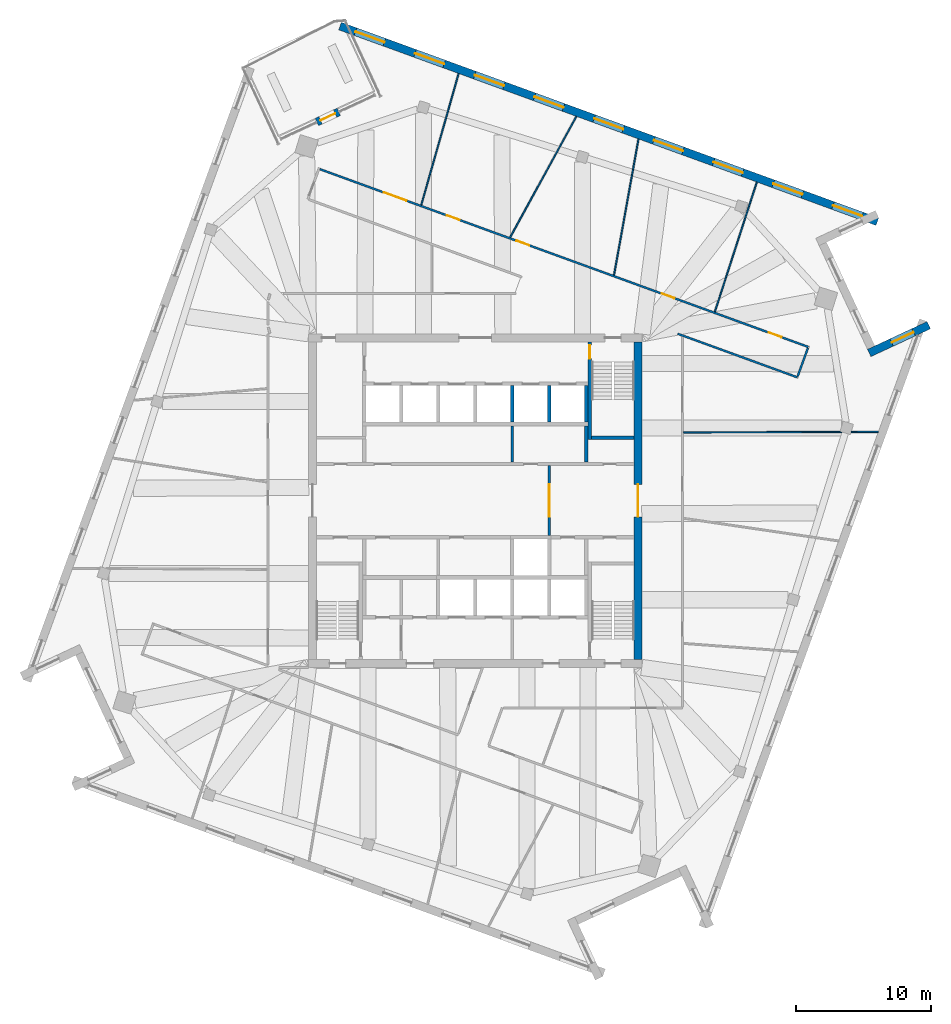
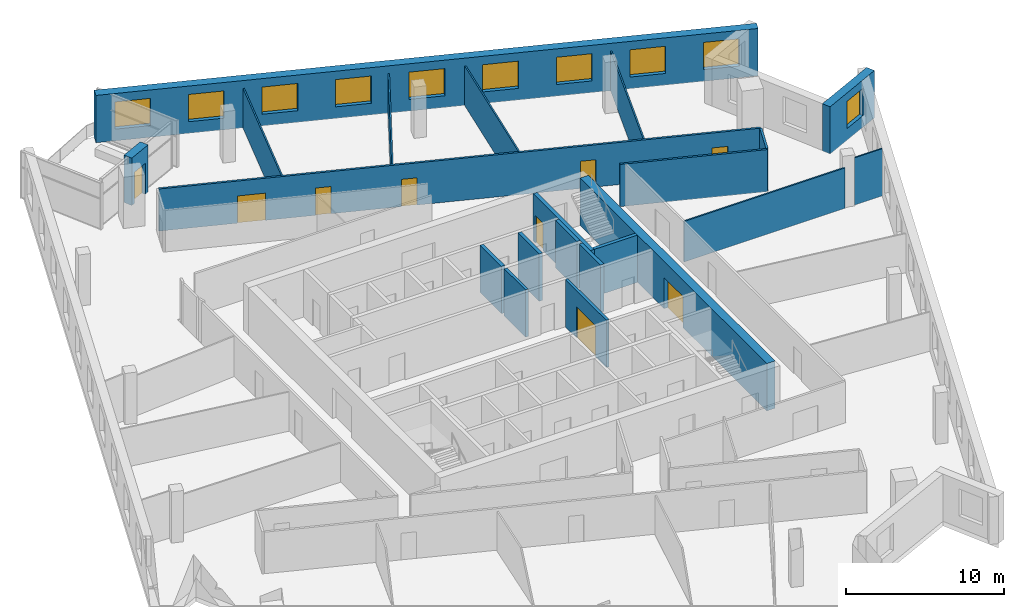
# One storey, part 10 of 13: 21 walls, 10 windows, 9 doors, 19 openings.
"""IFC4 building model written with IfcOpenShell, lengths in metres."""

from ifc_helpers import new_model, si_unit, direction, frame, frame_2d, origin, place, context, subcontext, project, spatial, rectangle, extrude, material, layer, layer_set, type_object, element, fill, save


model = new_model("IFC4")

# Units and contexts
model_context = context("Model", 3, precision=1e-05, world=origin(), true_north=direction((0.0, 1.0)))
body_context = subcontext(model_context, "Body", "Model", "MODEL_VIEW")
ifc_project = project(units=[si_unit("LENGTHUNIT", "METRE"), si_unit("AREAUNIT", "SQUARE_METRE"), si_unit("VOLUMEUNIT", "CUBIC_METRE"), si_unit("PLANEANGLEUNIT", "RADIAN"), si_unit("MASSUNIT", "GRAM", prefix="KILO")], contexts=[model_context])

# Site, building, storey
site_placement = place(None, origin())
site = spatial("IfcSite", under=ifc_project, at=site_placement, CompositionType="ELEMENT")
building_placement = place(site_placement, origin())
building = spatial("IfcBuilding", under=site, at=building_placement, Name="Dilmun Exchange Tower", CompositionType="ELEMENT")
storey_placement = place(building_placement, frame((0.0, 0.0, 308.5)))
storey = spatial("IfcBuildingStorey", under=building, at=storey_placement, Name="L73", CompositionType="ELEMENT", Elevation=308.5)

# Wall, opening, door
ifc_material_1 = material(Name="Concrete C40/50", Category="concrete")
ifc_layer_1 = layer(ifc_material_1, 0.199951171875)
ifc_layer_set_1 = layer_set([ifc_layer_1], Name="Concrete C40/50")
wall_type_1 = type_object("IfcWallType", Name="Core partition wall 200", PredefinedType="PARTITIONING", material=ifc_layer_set_1)
wall_1_placement = place(storey_placement, frame((5.5, -2.594970703125, 0.0), z_axis=(0.0, 0.0, 1.0), x_axis=(0.0, 1.0, 0.0)))
wall_1 = element("IfcWall", 1, at=wall_1_placement, inside=storey, type_object=wall_type_1, Name="L73 core partition wall 12", PredefinedType="PARTITIONING", context=body_context, shape_type="SweptSolid", body=[
    extrude(rectangle(XDim=5.18994140625, YDim=0.199951171875, at=frame_2d((2.594970703125, 0.0))), origin(), (0.0, 0.0, 1.0), 3.64990234375),
])
opening_1_placement = place(wall_1_placement, frame((1.39501953125, 0.0, 0.0)))
opening_1 = element("IfcOpeningElement", 2, at=opening_1_placement, cuts=wall_1, Name="Opening CD1", PredefinedType="OPENING", context=body_context, shape_type="SweptSolid", body=[
    extrude(rectangle(XDim=2.39990234375, YDim=2.39990234375, at=frame_2d((1.199951171875, 1.199951171875))), frame((0.0, 0.10986328125, 0.0), z_axis=(0.0, -1.0, 0.0), x_axis=(1.0, 0.0, 0.0)), (0.0, 0.0, 1.0), 0.219970703125),
])
ifc_material_2 = material(Name="Fire-rated steel door set", Category="steel")
door_type_1 = type_object("IfcDoorType", Name="Core lobby door 2400x2400", OperationType="DOUBLE_DOOR_DOUBLE_SWING", PredefinedType="DOOR", material=ifc_material_2)
door_1_placement = place(opening_1_placement, origin())
door_1 = element("IfcDoor", 3, at=door_1_placement, inside=storey, type_object=door_type_1, Name="L73 door Lift lobby east", OperationType="DOUBLE_DOOR_DOUBLE_SWING", OverallHeight=2.39990234375, OverallWidth=2.39990234375, PredefinedType="DOOR", context=body_context, shape_type="SweptSolid", body=[
    extrude(rectangle(XDim=2.39990234375, YDim=2.39990234375, at=frame_2d((1.199951171875, 1.199951171875))), frame((0.0, 0.02490234375, 0.0), z_axis=(0.0, -1.0, 0.0), x_axis=(1.0, 0.0, 0.0)), (0.0, 0.0, 1.0), 0.050048828125),
])
fill(opening_1, door_1)

# Walls
wall_2_placement = place(storey_placement, frame((2.75, 2.85498046875, 0.0), z_axis=(0.0, 0.0, 1.0), x_axis=(0.0, 1.0, 0.0)))
element("IfcWall", 4, at=wall_2_placement, inside=storey, type_object=wall_type_1, Name="L73 core partition wall 15", PredefinedType="PARTITIONING", context=body_context, shape_type="SweptSolid", body=[
    extrude(rectangle(XDim=2.68994140625, YDim=0.199951171875, at=frame_2d((1.344970703125, 0.0))), origin(), (0.0, 0.0, 1.0), 3.64990234375),
])
ifc_layer_2 = layer(ifc_material_1, 0.25)
ifc_layer_set_2 = layer_set([ifc_layer_2], Name="Concrete C40/50")
wall_type_2 = type_object("IfcWallType", Name="Core partition wall 250", PredefinedType="PARTITIONING", material=ifc_layer_set_2)
wall_3_placement = place(storey_placement, frame((8.25, 2.85498046875, 0.0), z_axis=(0.0, 0.0, 1.0), x_axis=(0.0, 1.0, 0.0)))
element("IfcWall", 5, at=wall_3_placement, inside=storey, type_object=wall_type_2, Name="L73 core partition wall 16", PredefinedType="PARTITIONING", context=body_context, shape_type="SweptSolid", body=[
    extrude(rectangle(XDim=2.68994140625, YDim=0.25, at=frame_2d((1.344970703125, 0.0))), origin(), (0.0, 0.0, 1.0), 3.64990234375),
])

# Wall, opening, door
ifc_material_3 = material(Name="Concrete C50/60", Category="concrete")
ifc_layer_3 = layer(ifc_material_3, 0.60009765625)
ifc_layer_set_3 = layer_set([ifc_layer_3], Name="Concrete C50/60")
wall_type_3 = type_object("IfcWallType", Name="Core shear wall 600 Concrete C50/60", PredefinedType="SHEAR", material=ifc_layer_set_3)
wall_4_placement = place(storey_placement, frame((12.10009765625, -11.800048828125, 0.0), z_axis=(0.0, 0.0, 1.0), x_axis=(0.0, 1.0, 0.0)))
wall_4 = element("IfcWall", 6, at=wall_4_placement, inside=storey, type_object=wall_type_3, Name="L73 core shear wall E", PredefinedType="SHEAR", context=body_context, shape_type="SweptSolid", body=[
    extrude(rectangle(XDim=23.60009765625, YDim=0.60009765625, at=frame_2d((11.800048828125, 0.0))), origin(), (0.0, 0.0, 1.0), 3.64990234375),
])
opening_2_placement = place(wall_4_placement, frame((10.60009765625, 0.0, 0.0)))
opening_2 = element("IfcOpeningElement", 7, at=opening_2_placement, cuts=wall_4, Name="Opening CD1", PredefinedType="OPENING", context=body_context, shape_type="SweptSolid", body=[
    extrude(rectangle(XDim=2.39990234375, YDim=2.39990234375, at=frame_2d((1.199951171875, 1.199951171875))), frame((0.0, 0.31005859375, 0.0), z_axis=(0.0, -1.0, 0.0), x_axis=(1.0, 0.0, 0.0)), (0.0, 0.0, 1.0), 0.6201171875),
])
door_2_placement = place(opening_2_placement, origin())
door_2 = element("IfcDoor", 8, at=door_2_placement, inside=storey, type_object=door_type_1, Name="L73 door Central lift lobby", OperationType="SINGLE_SWING_LEFT", OverallHeight=2.39990234375, OverallWidth=2.39990234375, PredefinedType="DOOR", context=body_context, shape_type="SweptSolid", body=[
    extrude(rectangle(XDim=2.39990234375, YDim=2.39990234375, at=frame_2d((1.199951171875, 1.199951171875))), frame((0.0, 0.02490234375, 0.0), z_axis=(0.0, -1.0, 0.0), x_axis=(1.0, 0.0, 0.0)), (0.0, 0.0, 1.0), 0.050048828125),
])
fill(opening_2, door_2)

# Wall, openings, doors
ifc_material_4 = material(Name="Corridor wall 150")
ifc_layer_4 = layer(ifc_material_4, 0.14990234375)
ifc_layer_set_4 = layer_set([ifc_layer_4], Name="Corridor wall 150")
wall_type_4 = type_object("IfcWallType", Name="Corridor wall 150", PredefinedType="PARTITIONING", material=ifc_layer_set_4)
wall_5_placement = place(storey_placement, frame((-11.548583984375, 24.63134765625, 0.0), z_axis=(0.0, 0.0, 1.0), x_axis=(0.939685979246, -0.342038390256, 0.0)))
wall_5 = element("IfcWall", 9, at=wall_5_placement, inside=storey, type_object=wall_type_4, Name="Corridor wall", PredefinedType="PARTITIONING", context=body_context, shape_type="SweptSolid", body=[
    extrude(rectangle(XDim=38.62841796875, YDim=0.14990234375, at=frame_2d((19.314208984375, 0.0))), origin(), (0.0, 0.0, 1.0), 3.25),
])
opening_3_placement = place(wall_5_placement, frame((5.050048828125, 0.0, 0.0)))
opening_3 = element("IfcOpeningElement", 10, at=opening_3_placement, cuts=wall_5, Name="Opening TF72-D06", PredefinedType="OPENING", context=body_context, shape_type="SweptSolid", body=[
    extrude(rectangle(XDim=1.800048828125, YDim=2.10009765625, at=frame_2d((0.89990234375, 1.050048828125))), frame((0.0, 0.0849609375, 0.0), z_axis=(0.0, -1.0, 0.0), x_axis=(1.0, 0.0, 0.0)), (0.0, 0.0, 1.0), 0.169921875),
])
opening_4_placement = place(wall_5_placement, frame((10.0458984375, 0.0, 0.0)))
opening_4 = element("IfcOpeningElement", 11, at=opening_4_placement, cuts=wall_5, Name="Opening TF72-D12", PredefinedType="OPENING", context=body_context, shape_type="SweptSolid", body=[
    extrude(rectangle(XDim=1.0, YDim=2.10009765625, at=frame_2d((0.5, 1.050048828125))), frame((0.0, 0.0849609375, 0.0), z_axis=(0.0, -1.0, 0.0), x_axis=(1.0, 0.0, 0.0)), (0.0, 0.0, 1.0), 0.169921875),
])
opening_5_placement = place(wall_5_placement, frame((15.560791015625, 0.0, 0.0)))
opening_5 = element("IfcOpeningElement", 12, at=opening_5_placement, cuts=wall_5, Name="Opening TF72-D14", PredefinedType="OPENING", context=body_context, shape_type="SweptSolid", body=[
    extrude(rectangle(XDim=1.0, YDim=2.10009765625, at=frame_2d((0.5, 1.050048828125))), frame((0.0, 0.0849609375, 0.0), z_axis=(0.0, -1.0, 0.0), x_axis=(1.0, 0.0, 0.0)), (0.0, 0.0, 1.0), 0.169921875),
])
opening_6_placement = place(wall_5_placement, frame((27.0419921875, 0.0, 0.0)))
opening_6 = element("IfcOpeningElement", 13, at=opening_6_placement, cuts=wall_5, Name="Opening TF72-D17", PredefinedType="OPENING", context=body_context, shape_type="SweptSolid", body=[
    extrude(rectangle(XDim=1.0, YDim=2.10009765625, at=frame_2d((0.5, 1.050048828125))), frame((0.0, 0.0849609375, 0.0), z_axis=(0.0, -1.0, 0.0), x_axis=(1.0, 0.0, 0.0)), (0.0, 0.0, 1.0), 0.169921875),
])
opening_7_placement = place(wall_5_placement, frame((35.506103515625, 0.0, 0.0)))
opening_7 = element("IfcOpeningElement", 14, at=opening_7_placement, cuts=wall_5, Name="Opening TF72-D21", PredefinedType="OPENING", context=body_context, shape_type="SweptSolid", body=[
    extrude(rectangle(XDim=1.0, YDim=2.10009765625, at=frame_2d((0.5, 1.050048828125))), frame((0.0, 0.0849609375, 0.0), z_axis=(0.0, -1.0, 0.0), x_axis=(1.0, 0.0, 0.0)), (0.0, 0.0, 1.0), 0.169921875),
])
ifc_material_5 = material(Name="Fire door 1000 x 2100")
door_type_2 = type_object("IfcDoorType", Name="Fire door 1000 x 2100", OperationType="NOTDEFINED", PredefinedType="DOOR", material=ifc_material_5)
door_3_placement = place(opening_4_placement, origin())
door_3 = element("IfcDoor", 15, at=door_3_placement, inside=storey, type_object=door_type_2, Name="Door TF72-D12", OperationType="SINGLE_SWING_LEFT", OverallHeight=2.10009765625, OverallWidth=1.0, PredefinedType="DOOR", context=body_context, shape_type="SweptSolid", body=[
    extrude(rectangle(XDim=1.0, YDim=2.10009765625, at=frame_2d((0.5, 1.050048828125))), frame((0.0, 0.02490234375, 0.0), z_axis=(0.0, -1.0, 0.0), x_axis=(1.0, 0.0, 0.0)), (0.0, 0.0, 1.0), 0.050048828125),
])
fill(opening_4, door_3)
door_4_placement = place(opening_5_placement, origin())
door_4 = element("IfcDoor", 16, at=door_4_placement, inside=storey, type_object=door_type_2, Name="Door TF72-D14", OperationType="SINGLE_SWING_RIGHT", OverallHeight=2.10009765625, OverallWidth=1.0, PredefinedType="DOOR", context=body_context, shape_type="SweptSolid", body=[
    extrude(rectangle(XDim=1.0, YDim=2.10009765625, at=frame_2d((0.5, 1.050048828125))), frame((0.0, 0.02490234375, 0.0), z_axis=(0.0, -1.0, 0.0), x_axis=(1.0, 0.0, 0.0)), (0.0, 0.0, 1.0), 0.050048828125),
])
fill(opening_5, door_4)
door_5_placement = place(opening_6_placement, origin())
door_5 = element("IfcDoor", 17, at=door_5_placement, inside=storey, type_object=door_type_2, Name="Door TF72-D17", OperationType="SINGLE_SWING_RIGHT", OverallHeight=2.10009765625, OverallWidth=1.0, PredefinedType="DOOR", context=body_context, shape_type="SweptSolid", body=[
    extrude(rectangle(XDim=1.0, YDim=2.10009765625, at=frame_2d((0.5, 1.050048828125))), frame((0.0, 0.02490234375, 0.0), z_axis=(0.0, -1.0, 0.0), x_axis=(1.0, 0.0, 0.0)), (0.0, 0.0, 1.0), 0.050048828125),
])
fill(opening_6, door_5)
door_6_placement = place(opening_7_placement, origin())
door_6 = element("IfcDoor", 18, at=door_6_placement, inside=storey, type_object=door_type_2, Name="Door TF72-D21", OperationType="SINGLE_SWING_LEFT", OverallHeight=2.10009765625, OverallWidth=1.0, PredefinedType="DOOR", context=body_context, shape_type="SweptSolid", body=[
    extrude(rectangle(XDim=1.0, YDim=2.10009765625, at=frame_2d((0.5, 1.050048828125))), frame((0.0, 0.02490234375, 0.0), z_axis=(0.0, -1.0, 0.0), x_axis=(1.0, 0.0, 0.0)), (0.0, 0.0, 1.0), 0.050048828125),
])
fill(opening_7, door_6)
ifc_material_6 = material(Name="Fire door pair 1800 x 2100")
door_type_3 = type_object("IfcDoorType", Name="Fire door pair 1800 x 2100", OperationType="NOTDEFINED", PredefinedType="DOOR", material=ifc_material_6)
door_7_placement = place(opening_3_placement, origin())
door_7 = element("IfcDoor", 19, at=door_7_placement, inside=storey, type_object=door_type_3, Name="Door TF72-D06", OperationType="DOUBLE_DOOR_SINGLE_SWING", OverallHeight=2.10009765625, OverallWidth=1.800048828125, PredefinedType="DOOR", context=body_context, shape_type="SweptSolid", body=[
    extrude(rectangle(XDim=1.800048828125, YDim=2.10009765625, at=frame_2d((0.89990234375, 1.050048828125))), frame((0.0, 0.02490234375, 0.0), z_axis=(0.0, -1.0, 0.0), x_axis=(1.0, 0.0, 0.0)), (0.0, 0.0, 1.0), 0.050048828125),
])
fill(opening_3, door_7)

# Walls
wall_6_placement = place(storey_placement, frame((15.0400390625, 12.39990234375, 0.0), z_axis=(0.0, 0.0, 1.0), x_axis=(0.939674306664, -0.34207045677, 0.0)))
element("IfcWall", 20, at=wall_6_placement, inside=storey, type_object=wall_type_4, Name="Corridor wall", PredefinedType="PARTITIONING", context=body_context, shape_type="SweptSolid", body=[
    extrude(rectangle(XDim=9.45947265625, YDim=0.14990234375, at=frame_2d((4.729736328125, 0.0))), origin(), (0.0, 0.0, 1.0), 3.25),
])
wall_7_placement = place(storey_placement, frame((23.95458984375, 9.234619140625, 0.0), z_axis=(0.0, 0.0, 1.0), x_axis=(0.342187433401, 0.939631715313, 0.0)))
element("IfcWall", 21, at=wall_7_placement, inside=storey, type_object=wall_type_4, Name="Corridor wall", PredefinedType="PARTITIONING", context=body_context, shape_type="SweptSolid", body=[
    extrude(rectangle(XDim=2.24951171875, YDim=0.14990234375, at=frame_2d((1.124755859375, 0.0))), origin(), (0.0, 0.0, 1.0), 3.25),
])
ifc_layer_5 = layer(ifc_material_1, 0.25)
ifc_layer_set_5 = layer_set([ifc_layer_5], Name="Concrete C40/50")
wall_type_5 = type_object("IfcWallType", Name="Lift shaft wall 250", PredefinedType="SOLIDWALL", material=ifc_layer_set_5)
for number, where, z_axis, x_axis, name in (
    (22, (2.75, 5.85009765625, 0.0), (0.0, 0.0, 1.0), (0.0, 1.0, 0.0), "L73 lift shaft divider N24"),
    (23, (5.5, 5.85009765625, 0.0), (0.0, 0.0, 1.0), (0.0, 1.0, 0.0), "L73 lift shaft divider N25"),
    (24, (8.25, 5.85009765625, 0.0), (0.0, 0.0, 1.0), (0.0, 1.0, 0.0), "L73 lift shaft divider N26"),
):
    element("IfcWall", number, at=place(storey_placement, frame(where, z_axis=z_axis, x_axis=x_axis)), inside=storey, type_object=wall_type_5, Name=name, PredefinedType="SOLIDWALL", context=body_context, shape_type="SweptSolid", body=[
        extrude(rectangle(XDim=2.699951171875, YDim=0.25, at=frame_2d((1.35009765625, 0.0))), origin(), (0.0, 0.0, 1.0), 3.64990234375),
    ])
ifc_material_7 = material(Name="Partition 100")
ifc_layer_6 = layer(ifc_material_7, 0.10009765625)
ifc_layer_set_6 = layer_set([ifc_layer_6], Name="Partition 100")
wall_type_6 = type_object("IfcWallType", Name="Partition 100", PredefinedType="PARTITIONING", material=ifc_layer_set_6)
wall_8_placement = place(storey_placement, frame((-4.010498046875, 21.970703125, 0.0), z_axis=(0.0, 0.0, 1.0), x_axis=(0.273351697038, 0.96191415923, 0.0)))
element("IfcWall", 25, at=wall_8_placement, inside=storey, type_object=wall_type_6, Name="Partition", PredefinedType="PARTITIONING", context=body_context, shape_type="SweptSolid", body=[
    extrude(rectangle(XDim=10.150390625, YDim=0.10009765625, at=frame_2d((5.0751953125, 0.0))), origin(), (0.0, 0.0, 1.0), 3.050048828125),
])
wall_9_placement = place(storey_placement, frame((2.59716796875, 19.5703125, 0.0), z_axis=(0.0, 0.0, 1.0), x_axis=(0.480064743051, 0.877233060526, 0.0)))
element("IfcWall", 26, at=wall_9_placement, inside=storey, type_object=wall_type_6, Name="Partition", PredefinedType="PARTITIONING", context=body_context, shape_type="SweptSolid", body=[
    extrude(rectangle(XDim=10.2373046875, YDim=0.10009765625, at=frame_2d((5.11865234375, 0.0))), origin(), (0.0, 0.0, 1.0), 3.050048828125),
])
wall_10_placement = place(storey_placement, frame((10.31298828125, 16.762451171875, 0.0), z_axis=(0.0, 0.0, 1.0), x_axis=(0.176922718916, 0.984224746454, 0.0)))
element("IfcWall", 27, at=wall_10_placement, inside=storey, type_object=wall_type_6, Name="Partition", PredefinedType="PARTITIONING", context=body_context, shape_type="SweptSolid", body=[
    extrude(rectangle(XDim=10.26953125, YDim=0.10009765625, at=frame_2d((5.134765625, 0.0))), origin(), (0.0, 0.0, 1.0), 3.050048828125),
])
wall_11_placement = place(storey_placement, frame((15.47509765625, 5.069091796875, 0.0), z_axis=(0.0, 0.0, 1.0), x_axis=(0.999996133827, 0.00278070684, 0.0)))
element("IfcWall", 28, at=wall_11_placement, inside=storey, type_object=wall_type_6, Name="Partition", PredefinedType="PARTITIONING", context=body_context, shape_type="SweptSolid", body=[
    extrude(rectangle(XDim=11.764892578125, YDim=0.10009765625, at=frame_2d((5.88232421875, 0.0))), origin(), (0.0, 0.0, 1.0), 3.1298828125),
])
wall_12_placement = place(storey_placement, frame((17.80078125, 14.030029296875, 0.0), z_axis=(0.0, 0.0, 1.0), x_axis=(0.308373882016, 0.951265235826, 0.0)))
element("IfcWall", 29, at=wall_12_placement, inside=storey, type_object=wall_type_6, Name="Partition", PredefinedType="PARTITIONING", context=body_context, shape_type="SweptSolid", body=[
    extrude(rectangle(XDim=10.13232421875, YDim=0.10009765625, at=frame_2d((5.066162109375, 0.0))), origin(), (0.0, 0.0, 1.0), 3.050048828125),
])
wall_13_placement = place(storey_placement, frame((27.932861328125, 5.103515625, 0.0), z_axis=(0.0, 0.0, 1.0), x_axis=(0.999996132662, 0.002781125883, 0.0)))
element("IfcWall", 30, at=wall_13_placement, inside=storey, type_object=wall_type_6, Name="Partition", PredefinedType="PARTITIONING", context=body_context, shape_type="SweptSolid", body=[
    extrude(rectangle(XDim=2.01904296875, YDim=0.10009765625, at=frame_2d((1.009521484375, 0.0))), origin(), (0.0, 0.0, 1.0), 3.64990234375),
])

# Wall, opening, window
ifc_material_8 = material(Name="Precast concrete C50/60", Category="concrete")
ifc_layer_7 = layer(ifc_material_8, 0.60009765625)
ifc_layer_set_7 = layer_set([ifc_layer_7], Name="Precast concrete C50/60")
wall_type_7 = type_object("IfcWallType", Name="Precast stone-clad wall 600", PredefinedType="STANDARD", material=ifc_layer_set_7)
wall_14_placement = place(storey_placement, frame((33.703369140625, 13.036376953125, 0.0), z_axis=(0.0, 0.0, 1.0), x_axis=(-0.906306938878, -0.422620080618, 0.0)))
wall_14 = element("IfcWall", 31, at=wall_14_placement, inside=storey, type_object=wall_type_7, Name="Facade wall L73-12", PredefinedType="STANDARD", context=body_context, shape_type="SweptSolid", body=[
    extrude(rectangle(XDim=4.885498046875, YDim=0.60009765625, at=frame_2d((2.44287109375, 0.0))), origin(), (0.0, 0.0, 1.0), 3.64990234375),
])
opening_8_placement = place(wall_14_placement, frame((1.242919921875, 0.0, 0.89990234375)))
opening_8 = element("IfcOpeningElement", 32, at=opening_8_placement, cuts=wall_14, Name="Opening W180-210", PredefinedType="OPENING", context=body_context, shape_type="SweptSolid", body=[
    extrude(rectangle(XDim=1.800048828125, YDim=2.10009765625, at=frame_2d((0.89990234375, 1.050048828125))), frame((0.0, 0.31005859375, 0.0), z_axis=(0.0, -1.0, 0.0), x_axis=(1.0, 0.0, 0.0)), (0.0, 0.0, 1.0), 0.6201171875),
])
ifc_material_9 = material(Name="Clear low-emissivity glass in aluminium frame", Category="aluminium")
window_type_1 = type_object("IfcWindowType", Name="Punched window 1800 x 2100", PartitioningType="DOUBLE_PANEL_VERTICAL", PredefinedType="WINDOW", material=ifc_material_9)
window_1_placement = place(opening_8_placement, origin())
window_1 = element("IfcWindow", 33, at=window_1_placement, inside=storey, type_object=window_type_1, Name="Window 13.1", OverallHeight=2.10009765625, OverallWidth=1.800048828125, PartitioningType="SINGLE_PANEL", PredefinedType="WINDOW", context=body_context, shape_type="SweptSolid", body=[
    extrude(rectangle(XDim=1.800048828125, YDim=2.10009765625, at=frame_2d((0.89990234375, 1.050048828125))), frame((0.0, 0.030029296875, 0.0), z_axis=(0.0, -1.0, 0.0), x_axis=(1.0, 0.0, 0.0)), (0.0, 0.0, 1.0), 0.06005859375),
])
fill(opening_8, window_1)

# Wall, openings, windows
wall_15_placement = place(storey_placement, frame((29.8818359375, 20.72998046875, 0.0), z_axis=(0.0, 0.0, 1.0), x_axis=(-0.939693396491, 0.342018012087, 0.0)))
wall_15 = element("IfcWall", 34, at=wall_15_placement, inside=storey, type_object=wall_type_7, Name="Facade wall L73-15", PredefinedType="STANDARD", context=body_context, shape_type="SweptSolid", body=[
    extrude(rectangle(XDim=42.48974609375, YDim=0.60009765625, at=frame_2d((21.244873046875, 0.0))), origin(), (0.0, 0.0, 1.0), 3.64990234375),
])
opening_9_placement = place(wall_15_placement, frame((1.21044921875, 0.0, 0.89990234375)))
opening_9 = element("IfcOpeningElement", 35, at=opening_9_placement, cuts=wall_15, Name="Opening W230-210", PredefinedType="OPENING", context=body_context, shape_type="SweptSolid", body=[
    extrude(rectangle(XDim=2.300048828125, YDim=2.10009765625, at=frame_2d((1.14990234375, 1.050048828125))), frame((0.0, 0.31005859375, 0.0), z_axis=(0.0, -1.0, 0.0), x_axis=(1.0, 0.0, 0.0)), (0.0, 0.0, 1.0), 0.6201171875),
])
opening_10_placement = place(wall_15_placement, frame((5.931640625, 0.0, 0.89990234375)))
opening_10 = element("IfcOpeningElement", 36, at=opening_10_placement, cuts=wall_15, Name="Opening W230-210", PredefinedType="OPENING", context=body_context, shape_type="SweptSolid", body=[
    extrude(rectangle(XDim=2.300048828125, YDim=2.10009765625, at=frame_2d((1.14990234375, 1.050048828125))), frame((0.0, 0.31005859375, 0.0), z_axis=(0.0, -1.0, 0.0), x_axis=(1.0, 0.0, 0.0)), (0.0, 0.0, 1.0), 0.6201171875),
])
opening_11_placement = place(wall_15_placement, frame((10.652587890625, 0.0, 0.89990234375)))
opening_11 = element("IfcOpeningElement", 37, at=opening_11_placement, cuts=wall_15, Name="Opening W230-210", PredefinedType="OPENING", context=body_context, shape_type="SweptSolid", body=[
    extrude(rectangle(XDim=2.300048828125, YDim=2.10009765625, at=frame_2d((1.14990234375, 1.050048828125))), frame((0.0, 0.31005859375, 0.0), z_axis=(0.0, -1.0, 0.0), x_axis=(1.0, 0.0, 0.0)), (0.0, 0.0, 1.0), 0.6201171875),
])
opening_12_placement = place(wall_15_placement, frame((15.373779296875, 0.0, 0.89990234375)))
opening_12 = element("IfcOpeningElement", 38, at=opening_12_placement, cuts=wall_15, Name="Opening W230-210", PredefinedType="OPENING", context=body_context, shape_type="SweptSolid", body=[
    extrude(rectangle(XDim=2.300048828125, YDim=2.10009765625, at=frame_2d((1.14990234375, 1.050048828125))), frame((0.0, 0.31005859375, 0.0), z_axis=(0.0, -1.0, 0.0), x_axis=(1.0, 0.0, 0.0)), (0.0, 0.0, 1.0), 0.6201171875),
])
opening_13_placement = place(wall_15_placement, frame((20.0947265625, 0.0, 0.89990234375)))
opening_13 = element("IfcOpeningElement", 39, at=opening_13_placement, cuts=wall_15, Name="Opening W230-210", PredefinedType="OPENING", context=body_context, shape_type="SweptSolid", body=[
    extrude(rectangle(XDim=2.300048828125, YDim=2.10009765625, at=frame_2d((1.14990234375, 1.050048828125))), frame((0.0, 0.31005859375, 0.0), z_axis=(0.0, -1.0, 0.0), x_axis=(1.0, 0.0, 0.0)), (0.0, 0.0, 1.0), 0.6201171875),
])
opening_14_placement = place(wall_15_placement, frame((24.81591796875, 0.0, 0.89990234375)))
opening_14 = element("IfcOpeningElement", 40, at=opening_14_placement, cuts=wall_15, Name="Opening W230-210", PredefinedType="OPENING", context=body_context, shape_type="SweptSolid", body=[
    extrude(rectangle(XDim=2.300048828125, YDim=2.10009765625, at=frame_2d((1.14990234375, 1.050048828125))), frame((0.0, 0.31005859375, 0.0), z_axis=(0.0, -1.0, 0.0), x_axis=(1.0, 0.0, 0.0)), (0.0, 0.0, 1.0), 0.6201171875),
])
opening_15_placement = place(wall_15_placement, frame((29.536865234375, 0.0, 0.89990234375)))
opening_15 = element("IfcOpeningElement", 41, at=opening_15_placement, cuts=wall_15, Name="Opening W230-210", PredefinedType="OPENING", context=body_context, shape_type="SweptSolid", body=[
    extrude(rectangle(XDim=2.300048828125, YDim=2.10009765625, at=frame_2d((1.14990234375, 1.050048828125))), frame((0.0, 0.31005859375, 0.0), z_axis=(0.0, -1.0, 0.0), x_axis=(1.0, 0.0, 0.0)), (0.0, 0.0, 1.0), 0.6201171875),
])
opening_16_placement = place(wall_15_placement, frame((34.258056640625, 0.0, 0.89990234375)))
opening_16 = element("IfcOpeningElement", 42, at=opening_16_placement, cuts=wall_15, Name="Opening W230-210", PredefinedType="OPENING", context=body_context, shape_type="SweptSolid", body=[
    extrude(rectangle(XDim=2.300048828125, YDim=2.10009765625, at=frame_2d((1.14990234375, 1.050048828125))), frame((0.0, 0.31005859375, 0.0), z_axis=(0.0, -1.0, 0.0), x_axis=(1.0, 0.0, 0.0)), (0.0, 0.0, 1.0), 0.6201171875),
])
opening_17_placement = place(wall_15_placement, frame((38.97900390625, 0.0, 0.89990234375)))
opening_17 = element("IfcOpeningElement", 43, at=opening_17_placement, cuts=wall_15, Name="Opening W230-210", PredefinedType="OPENING", context=body_context, shape_type="SweptSolid", body=[
    extrude(rectangle(XDim=2.300048828125, YDim=2.10009765625, at=frame_2d((1.14990234375, 1.050048828125))), frame((0.0, 0.31005859375, 0.0), z_axis=(0.0, -1.0, 0.0), x_axis=(1.0, 0.0, 0.0)), (0.0, 0.0, 1.0), 0.6201171875),
])
window_type_2 = type_object("IfcWindowType", Name="Punched window 2300 x 2100", PartitioningType="DOUBLE_PANEL_VERTICAL", PredefinedType="WINDOW", material=ifc_material_9)
window_2_placement = place(opening_9_placement, origin())
window_2 = element("IfcWindow", 44, at=window_2_placement, inside=storey, type_object=window_type_2, Name="Window 16.1", OverallHeight=2.10009765625, OverallWidth=2.300048828125, PartitioningType="SINGLE_PANEL", PredefinedType="WINDOW", context=body_context, shape_type="SweptSolid", body=[
    extrude(rectangle(XDim=2.300048828125, YDim=2.10009765625, at=frame_2d((1.14990234375, 1.050048828125))), frame((0.0, 0.030029296875, 0.0), z_axis=(0.0, -1.0, 0.0), x_axis=(1.0, 0.0, 0.0)), (0.0, 0.0, 1.0), 0.06005859375),
])
fill(opening_9, window_2)
window_3_placement = place(opening_10_placement, origin())
window_3 = element("IfcWindow", 45, at=window_3_placement, inside=storey, type_object=window_type_2, Name="Window 16.2", OverallHeight=2.10009765625, OverallWidth=2.300048828125, PartitioningType="SINGLE_PANEL", PredefinedType="WINDOW", context=body_context, shape_type="SweptSolid", body=[
    extrude(rectangle(XDim=2.300048828125, YDim=2.10009765625, at=frame_2d((1.14990234375, 1.050048828125))), frame((0.0, 0.030029296875, 0.0), z_axis=(0.0, -1.0, 0.0), x_axis=(1.0, 0.0, 0.0)), (0.0, 0.0, 1.0), 0.06005859375),
])
fill(opening_10, window_3)
window_4_placement = place(opening_11_placement, origin())
window_4 = element("IfcWindow", 46, at=window_4_placement, inside=storey, type_object=window_type_2, Name="Window 16.3", OverallHeight=2.10009765625, OverallWidth=2.300048828125, PartitioningType="SINGLE_PANEL", PredefinedType="WINDOW", context=body_context, shape_type="SweptSolid", body=[
    extrude(rectangle(XDim=2.300048828125, YDim=2.10009765625, at=frame_2d((1.14990234375, 1.050048828125))), frame((0.0, 0.030029296875, 0.0), z_axis=(0.0, -1.0, 0.0), x_axis=(1.0, 0.0, 0.0)), (0.0, 0.0, 1.0), 0.06005859375),
])
fill(opening_11, window_4)
window_5_placement = place(opening_12_placement, origin())
window_5 = element("IfcWindow", 47, at=window_5_placement, inside=storey, type_object=window_type_2, Name="Window 16.4", OverallHeight=2.10009765625, OverallWidth=2.300048828125, PartitioningType="SINGLE_PANEL", PredefinedType="WINDOW", context=body_context, shape_type="SweptSolid", body=[
    extrude(rectangle(XDim=2.300048828125, YDim=2.10009765625, at=frame_2d((1.14990234375, 1.050048828125))), frame((0.0, 0.030029296875, 0.0), z_axis=(0.0, -1.0, 0.0), x_axis=(1.0, 0.0, 0.0)), (0.0, 0.0, 1.0), 0.06005859375),
])
fill(opening_12, window_5)
window_6_placement = place(opening_13_placement, origin())
window_6 = element("IfcWindow", 48, at=window_6_placement, inside=storey, type_object=window_type_2, Name="Window 16.5", OverallHeight=2.10009765625, OverallWidth=2.300048828125, PartitioningType="SINGLE_PANEL", PredefinedType="WINDOW", context=body_context, shape_type="SweptSolid", body=[
    extrude(rectangle(XDim=2.300048828125, YDim=2.10009765625, at=frame_2d((1.14990234375, 1.050048828125))), frame((0.0, 0.030029296875, 0.0), z_axis=(0.0, -1.0, 0.0), x_axis=(1.0, 0.0, 0.0)), (0.0, 0.0, 1.0), 0.06005859375),
])
fill(opening_13, window_6)
window_7_placement = place(opening_14_placement, origin())
window_7 = element("IfcWindow", 49, at=window_7_placement, inside=storey, type_object=window_type_2, Name="Window 16.6", OverallHeight=2.10009765625, OverallWidth=2.300048828125, PartitioningType="SINGLE_PANEL", PredefinedType="WINDOW", context=body_context, shape_type="SweptSolid", body=[
    extrude(rectangle(XDim=2.300048828125, YDim=2.10009765625, at=frame_2d((1.14990234375, 1.050048828125))), frame((0.0, 0.030029296875, 0.0), z_axis=(0.0, -1.0, 0.0), x_axis=(1.0, 0.0, 0.0)), (0.0, 0.0, 1.0), 0.06005859375),
])
fill(opening_14, window_7)
window_8_placement = place(opening_15_placement, origin())
window_8 = element("IfcWindow", 50, at=window_8_placement, inside=storey, type_object=window_type_2, Name="Window 16.7", OverallHeight=2.10009765625, OverallWidth=2.300048828125, PartitioningType="SINGLE_PANEL", PredefinedType="WINDOW", context=body_context, shape_type="SweptSolid", body=[
    extrude(rectangle(XDim=2.300048828125, YDim=2.10009765625, at=frame_2d((1.14990234375, 1.050048828125))), frame((0.0, 0.030029296875, 0.0), z_axis=(0.0, -1.0, 0.0), x_axis=(1.0, 0.0, 0.0)), (0.0, 0.0, 1.0), 0.06005859375),
])
fill(opening_15, window_8)
window_9_placement = place(opening_16_placement, origin())
window_9 = element("IfcWindow", 51, at=window_9_placement, inside=storey, type_object=window_type_2, Name="Window 16.8", OverallHeight=2.10009765625, OverallWidth=2.300048828125, PartitioningType="SINGLE_PANEL", PredefinedType="WINDOW", context=body_context, shape_type="SweptSolid", body=[
    extrude(rectangle(XDim=2.300048828125, YDim=2.10009765625, at=frame_2d((1.14990234375, 1.050048828125))), frame((0.0, 0.030029296875, 0.0), z_axis=(0.0, -1.0, 0.0), x_axis=(1.0, 0.0, 0.0)), (0.0, 0.0, 1.0), 0.06005859375),
])
fill(opening_16, window_9)
window_10_placement = place(opening_17_placement, origin())
window_10 = element("IfcWindow", 52, at=window_10_placement, inside=storey, type_object=window_type_2, Name="Window 16.9", OverallHeight=2.10009765625, OverallWidth=2.300048828125, PartitioningType="SINGLE_PANEL", PredefinedType="WINDOW", context=body_context, shape_type="SweptSolid", body=[
    extrude(rectangle(XDim=2.300048828125, YDim=2.10009765625, at=frame_2d((1.14990234375, 1.050048828125))), frame((0.0, 0.030029296875, 0.0), z_axis=(0.0, -1.0, 0.0), x_axis=(1.0, 0.0, 0.0)), (0.0, 0.0, 1.0), 0.06005859375),
])
fill(opening_17, window_10)

# Wall, opening, door
wall_16_placement = place(storey_placement, frame((-10.138671875, 28.8916015625, 0.0), z_axis=(0.0, 0.0, 1.0), x_axis=(-0.906300917592, -0.422632992999, 0.0)))
wall_16 = element("IfcWall", 53, at=wall_16_placement, inside=storey, type_object=wall_type_7, Name="Facade wall L73-01-D", PredefinedType="STANDARD", context=body_context, shape_type="SweptSolid", body=[
    extrude(rectangle(XDim=1.800048828125, YDim=0.60009765625, at=frame_2d((0.89990234375, 0.0))), origin(), (0.0, 0.0, 1.0), 3.64990234375),
])
opening_18_placement = place(wall_16_placement, frame((0.300048828125, 0.0, 0.0)))
opening_18 = element("IfcOpeningElement", 54, at=opening_18_placement, cuts=wall_16, Name="Opening GD-1", PredefinedType="OPENING", context=body_context, shape_type="SweptSolid", body=[
    extrude(rectangle(XDim=1.199951171875, YDim=2.39990234375, at=frame_2d((0.60009765625, 1.199951171875))), frame((0.0, 0.31005859375, 0.0), z_axis=(0.0, -1.0, 0.0), x_axis=(1.0, 0.0, 0.0)), (0.0, 0.0, 1.0), 0.6201171875),
])
door_type_4 = type_object("IfcDoorType", Name="Glazed garden door 1200 x 2400", OperationType="SINGLE_SWING_LEFT", PredefinedType="DOOR", material=ifc_material_9)
door_8_placement = place(opening_18_placement, origin())
door_8 = element("IfcDoor", 55, at=door_8_placement, inside=storey, type_object=door_type_4, Name="Garden terrace door", OperationType="SINGLE_SWING_LEFT", OverallHeight=2.39990234375, OverallWidth=1.199951171875, PredefinedType="DOOR", context=body_context, shape_type="SweptSolid", body=[
    extrude(rectangle(XDim=1.199951171875, YDim=2.39990234375, at=frame_2d((0.60009765625, 1.199951171875))), frame((0.0, 0.02490234375, 0.0), z_axis=(0.0, -1.0, 0.0), x_axis=(1.0, 0.0, 0.0)), (0.0, 0.0, 1.0), 0.050048828125),
])
fill(opening_18, door_8)

# Wall
ifc_layer_8 = layer(ifc_material_1, 0.25)
ifc_layer_set_8 = layer_set([ifc_layer_8], Name="Concrete C40/50")
wall_type_8 = type_object("IfcWallType", Name="Stair end wall 250", PredefinedType="SOLIDWALL", material=ifc_layer_set_8)
wall_17_placement = place(storey_placement, frame((8.64990234375, 4.675048828125, 0.0), z_axis=(0.0, 0.0, 1.0), x_axis=(1.0, 0.0, 0.0)))
element("IfcWall", 56, at=wall_17_placement, inside=storey, type_object=wall_type_8, Name="L73 ST1 far wall", PredefinedType="SOLIDWALL", context=body_context, shape_type="SweptSolid", body=[
    extrude(rectangle(XDim=3.150146484375, YDim=0.25, at=frame_2d((1.5751953125, 0.0))), origin(), (0.0, 0.0, 1.0), 3.64990234375),
])

# Wall, opening, door
ifc_layer_9 = layer(ifc_material_1, 0.27490234375)
ifc_layer_set_9 = layer_set([ifc_layer_9], Name="Concrete C40/50")
wall_type_9 = type_object("IfcWallType", Name="Stair wall 275", PredefinedType="SOLIDWALL", material=ifc_layer_set_9)
wall_18_placement = place(storey_placement, frame((8.512451171875, 4.550048828125, 0.0), z_axis=(0.0, 0.0, 1.0), x_axis=(0.0, 1.0, 0.0)))
wall_18 = element("IfcWall", 57, at=wall_18_placement, inside=storey, type_object=wall_type_9, Name="L73 ST1 wall to lift block", PredefinedType="SOLIDWALL", context=body_context, shape_type="SweptSolid", body=[
    extrude(rectangle(XDim=7.25, YDim=0.27490234375, at=frame_2d((3.625, 0.0))), origin(), (0.0, 0.0, 1.0), 3.64990234375),
])
opening_19_placement = place(wall_18_placement, frame((6.0, 0.0, 0.0)))
opening_19 = element("IfcOpeningElement", 58, at=opening_19_placement, cuts=wall_18, Name="Opening CD4", PredefinedType="OPENING", context=body_context, shape_type="SweptSolid", body=[
    extrude(rectangle(XDim=1.0, YDim=2.10009765625, at=frame_2d((0.5, 1.050048828125))), frame((0.0, 0.1474609375, 0.0), z_axis=(0.0, -1.0, 0.0), x_axis=(1.0, 0.0, 0.0)), (0.0, 0.0, 1.0), 0.294921875),
])
door_type_5 = type_object("IfcDoorType", Name="Core room door 1000x2100", OperationType="SINGLE_SWING_LEFT", PredefinedType="DOOR", material=ifc_material_2)
door_9_placement = place(opening_19_placement, origin())
door_9 = element("IfcDoor", 59, at=door_9_placement, inside=storey, type_object=door_type_5, Name="L73 door ST1 from lobby", OperationType="SINGLE_SWING_LEFT", OverallHeight=2.10009765625, OverallWidth=1.0, PredefinedType="DOOR", context=body_context, shape_type="SweptSolid", body=[
    extrude(rectangle(XDim=1.0, YDim=2.10009765625, at=frame_2d((0.5, 1.050048828125))), frame((0.0, 0.02490234375, 0.0), z_axis=(0.0, -1.0, 0.0), x_axis=(1.0, 0.0, 0.0)), (0.0, 0.0, 1.0), 0.050048828125),
])
fill(opening_19, door_9)

save(model, "model.ifc")
